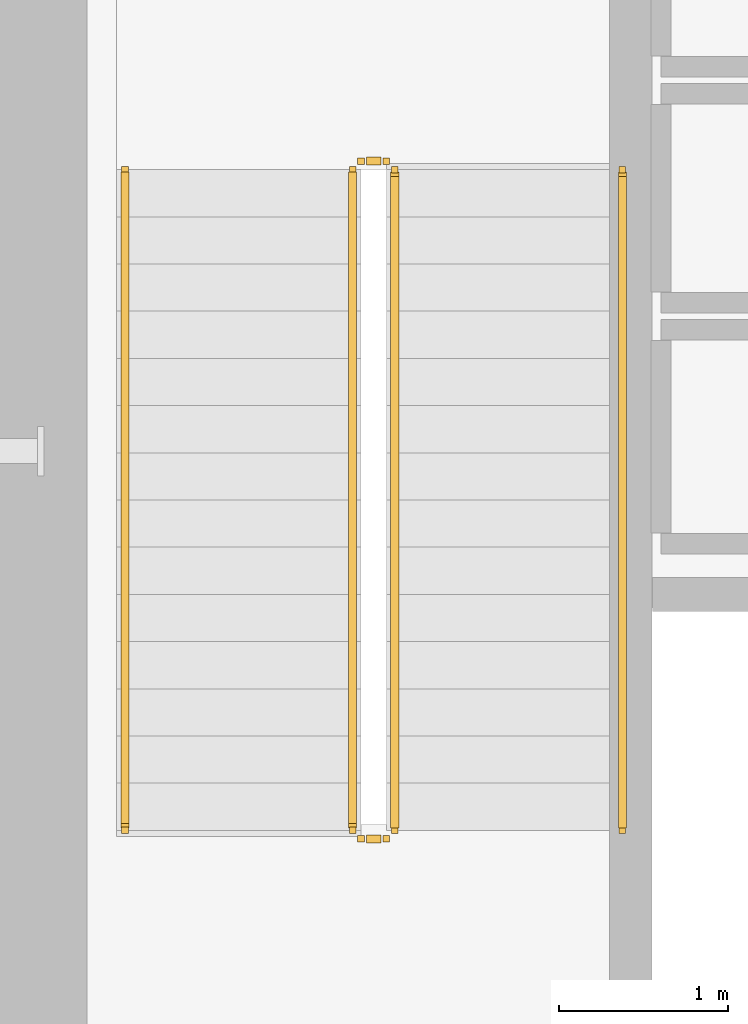
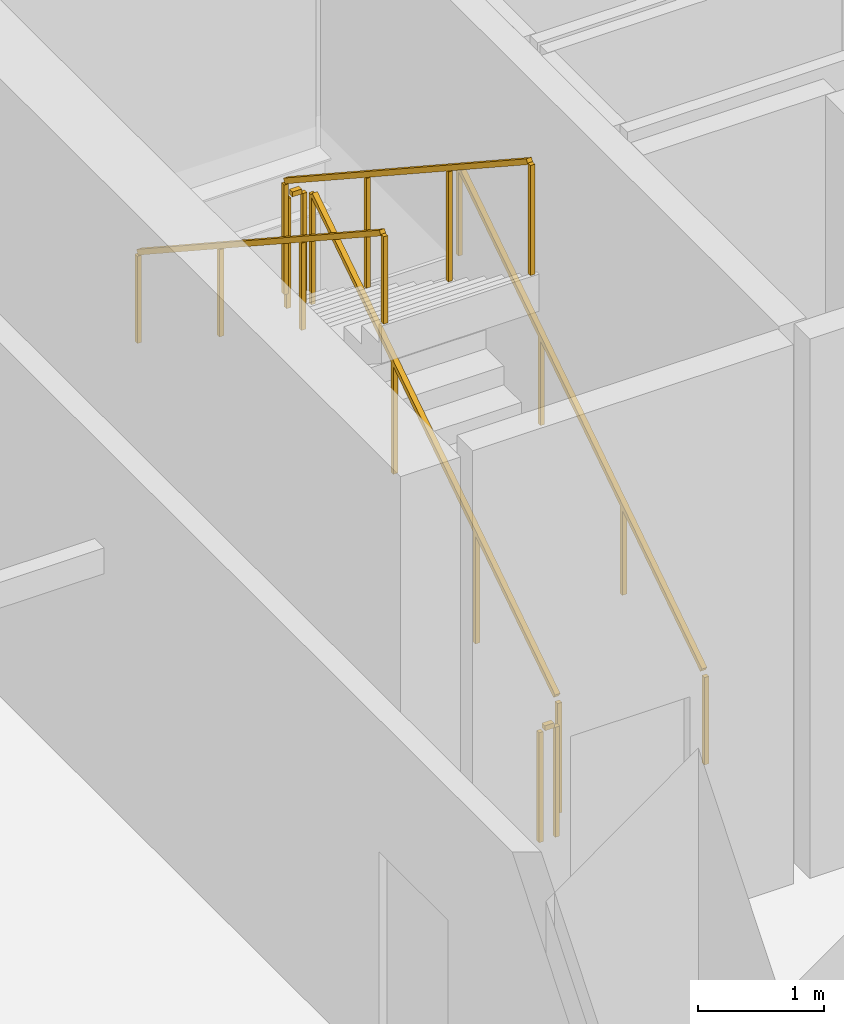
# One storey, part 15 of 19: 6 railings.
"""IFC4 building model written with IfcOpenShell, lengths in metres."""

from ifc_helpers import new_model, si_unit, direction, frame, origin, origin_2d, place, context, subcontext, project, spatial, rectangle, extrude, material, type_object, element, save


model = new_model("IFC4")

# Units and contexts
model_context = context("Model", 3, precision=1e-05, world=origin(), true_north=direction((0.0, 1.0)))
body_context = subcontext(model_context, "Body", "Model", "MODEL_VIEW")
ifc_project = project(units=[si_unit("LENGTHUNIT", "METRE"), si_unit("AREAUNIT", "SQUARE_METRE"), si_unit("VOLUMEUNIT", "CUBIC_METRE"), si_unit("PLANEANGLEUNIT", "RADIAN"), si_unit("MASSUNIT", "GRAM", prefix="KILO")], contexts=[model_context])

# Site, building, storey
site_placement = place(None, origin())
site = spatial("IfcSite", under=ifc_project, at=site_placement, CompositionType="ELEMENT")
building_placement = place(site_placement, origin())
building = spatial("IfcBuilding", under=site, at=building_placement, Name="Tharavind Bronze Gate", CompositionType="ELEMENT")
storey_placement = place(building_placement, frame((0.0, 0.0, 11.0)))
storey = spatial("IfcBuildingStorey", under=building, at=storey_placement, Name="L02", CompositionType="ELEMENT", Elevation=11.0)

# Railings
ifc_material = material(Name="Brushed Bronze Alloy", Category="metal")
railing_type_1 = type_object("IfcRailingType", Name="STAIR BRONZE HANDRAIL 900", PredefinedType="HANDRAIL", material=ifc_material)
railing_1_placement = place(storey_placement, frame((-5.449951171875, -2.25, 0.183349609375)))
element("IfcRailing", 1, at=railing_1_placement, inside=storey, type_object=railing_type_1, Name="L02 ST1 stair handrail 1", PredefinedType="HANDRAIL", context=body_context, shape_type="SweptSolid", body=[
    extrude(rectangle(XDim=0.048095703125, YDim=0.048095703125, at=origin_2d()), frame((0.0, 0.02685546875, 0.893310546875), z_axis=(0.0, 0.836615117243, 0.547791151444), x_axis=(-1.0, 0.0, 0.0)), (0.0, 0.0, 1.0), 4.621337890625),
    extrude(rectangle(XDim=0.0400390625, YDim=0.0400390625, at=origin_2d()), origin(), (0.0, 0.0, 1.0), 0.847900390625),
    extrude(rectangle(XDim=0.0400390625, YDim=0.0400390625, at=origin_2d()), frame((0.0, 1.306640625, 0.85546875)), (0.0, 0.0, 1.0), 0.847900390625),
    extrude(rectangle(XDim=0.0400390625, YDim=0.0400390625, at=origin_2d()), frame((0.0, 2.61328125, 1.711181640625)), (0.0, 0.0, 1.0), 0.847900390625),
    extrude(rectangle(XDim=0.0400390625, YDim=0.0400390625, at=origin_2d()), frame((0.0, 3.919921875, 2.566650390625)), (0.0, 0.0, 1.0), 0.847900390625),
])
railing_2_placement = place(storey_placement, frame((-8.39990234375, 1.669921875, 2.933349609375)))
element("IfcRailing", 2, at=railing_2_placement, inside=storey, type_object=railing_type_1, Name="L02 ST1 stair handrail 2", PredefinedType="HANDRAIL", context=body_context, shape_type="SweptSolid", body=[
    extrude(rectangle(XDim=0.048095703125, YDim=0.048095703125, at=origin_2d()), frame((0.0, -0.02685546875, 0.893310546875), z_axis=(0.0, -0.836615117243, 0.547791151444), x_axis=(1.0, 0.0, 0.0)), (0.0, 0.0, 1.0), 4.621337890625),
    extrude(rectangle(XDim=0.0400390625, YDim=0.0400390625, at=origin_2d()), origin(), (0.0, 0.0, 1.0), 0.847900390625),
    extrude(rectangle(XDim=0.0400390625, YDim=0.0400390625, at=origin_2d()), frame((0.0, -1.306640625, 0.85546875)), (0.0, 0.0, 1.0), 0.847900390625),
    extrude(rectangle(XDim=0.0400390625, YDim=0.0400390625, at=origin_2d()), frame((0.0, -2.61328125, 1.711181640625)), (0.0, 0.0, 1.0), 0.847900390625),
    extrude(rectangle(XDim=0.0400390625, YDim=0.0400390625, at=origin_2d()), frame((0.0, -3.919921875, 2.566650390625)), (0.0, 0.0, 1.0), 0.847900390625),
])
railing_type_2 = type_object("IfcRailingType", Name="STAIR WELL GUARD RAILING 1120", PredefinedType="GUARDRAIL", material=ifc_material)
railing_3_placement = place(storey_placement, frame((-6.800048828125, -2.25, 0.183349609375)))
element("IfcRailing", 3, at=railing_3_placement, inside=storey, type_object=railing_type_2, Name="L02 ST1 stair guard 1", PredefinedType="GUARDRAIL", context=body_context, shape_type="SweptSolid", body=[
    extrude(rectangle(XDim=0.048095703125, YDim=0.048095703125, at=origin_2d()), frame((0.0, 0.02685546875, 1.113525390625), z_axis=(0.0, 0.836615117243, 0.547791151444), x_axis=(-1.0, 0.0, 0.0)), (0.0, 0.0, 1.0), 4.621337890625),
    extrude(rectangle(XDim=0.0400390625, YDim=0.0400390625, at=origin_2d()), origin(), (0.0, 0.0, 1.0), 1.068115234375),
    extrude(rectangle(XDim=0.0400390625, YDim=0.0400390625, at=origin_2d()), frame((0.0, 1.306640625, 0.85546875)), (0.0, 0.0, 1.0), 1.068115234375),
    extrude(rectangle(XDim=0.0400390625, YDim=0.0400390625, at=origin_2d()), frame((0.0, 2.61328125, 1.711181640625)), (0.0, 0.0, 1.0), 1.068115234375),
    extrude(rectangle(XDim=0.0400390625, YDim=0.0400390625, at=origin_2d()), frame((0.0, 3.919921875, 2.566650390625)), (0.0, 0.0, 1.0), 1.068115234375),
])
railing_4_placement = place(storey_placement, frame((-6.85009765625, 1.719970703125, 2.75)))
element("IfcRailing", 4, at=railing_4_placement, inside=storey, type_object=railing_type_2, Name="L02 ST1 stair guard 2", PredefinedType="GUARDRAIL", context=body_context, shape_type="SweptSolid", body=[
    extrude(rectangle(XDim=0.048095703125, YDim=0.048095703125, at=origin_2d()), frame((-0.031982421875, 0.0, 1.09619140625), z_axis=(-1.0, 0.0, 0.0), x_axis=(0.0, -1.0, 0.0)), (0.0, 0.0, 1.0), 0.0859375),
    extrude(rectangle(XDim=0.0400390625, YDim=0.0400390625, at=origin_2d()), origin(), (0.0, 0.0, 1.0), 1.068115234375),
    extrude(rectangle(XDim=0.0400390625, YDim=0.0400390625, at=origin_2d()), frame((-0.14990234375, 0.0, 0.0)), (0.0, 0.0, 1.0), 1.068115234375),
])
railing_5_placement = place(storey_placement, frame((-7.050048828125, 1.669921875, 2.933349609375)))
element("IfcRailing", 5, at=railing_5_placement, inside=storey, type_object=railing_type_2, Name="L02 ST1 stair guard 3", PredefinedType="GUARDRAIL", context=body_context, shape_type="SweptSolid", body=[
    extrude(rectangle(XDim=0.048095703125, YDim=0.048095703125, at=origin_2d()), frame((0.0, -0.02685546875, 1.113525390625), z_axis=(0.0, -0.836615117243, 0.547791151444), x_axis=(1.0, 0.0, 0.0)), (0.0, 0.0, 1.0), 4.621337890625),
    extrude(rectangle(XDim=0.0400390625, YDim=0.0400390625, at=origin_2d()), origin(), (0.0, 0.0, 1.0), 1.068115234375),
    extrude(rectangle(XDim=0.0400390625, YDim=0.0400390625, at=origin_2d()), frame((0.0, -1.306640625, 0.85546875)), (0.0, 0.0, 1.0), 1.068115234375),
    extrude(rectangle(XDim=0.0400390625, YDim=0.0400390625, at=origin_2d()), frame((0.0, -2.61328125, 1.711181640625)), (0.0, 0.0, 1.0), 1.068115234375),
    extrude(rectangle(XDim=0.0400390625, YDim=0.0400390625, at=origin_2d()), frame((0.0, -3.919921875, 2.566650390625)), (0.0, 0.0, 1.0), 1.068115234375),
])
railing_6_placement = place(storey_placement, frame((-6.85009765625, -2.300048828125, 0.0)))
element("IfcRailing", 6, at=railing_6_placement, inside=storey, type_object=railing_type_2, Name="L02 ST1 stair guard 4", PredefinedType="GUARDRAIL", context=body_context, shape_type="SweptSolid", body=[
    extrude(rectangle(XDim=0.048095703125, YDim=0.048095703125, at=origin_2d()), frame((-0.031982421875, 0.0, 1.09619140625), z_axis=(-1.0, 0.0, 0.0), x_axis=(0.0, -1.0, 0.0)), (0.0, 0.0, 1.0), 0.0859375),
    extrude(rectangle(XDim=0.0400390625, YDim=0.0400390625, at=origin_2d()), origin(), (0.0, 0.0, 1.0), 1.068115234375),
    extrude(rectangle(XDim=0.0400390625, YDim=0.0400390625, at=origin_2d()), frame((-0.14990234375, 0.0, 0.0)), (0.0, 0.0, 1.0), 1.068115234375),
])

save(model, "model.ifc")
